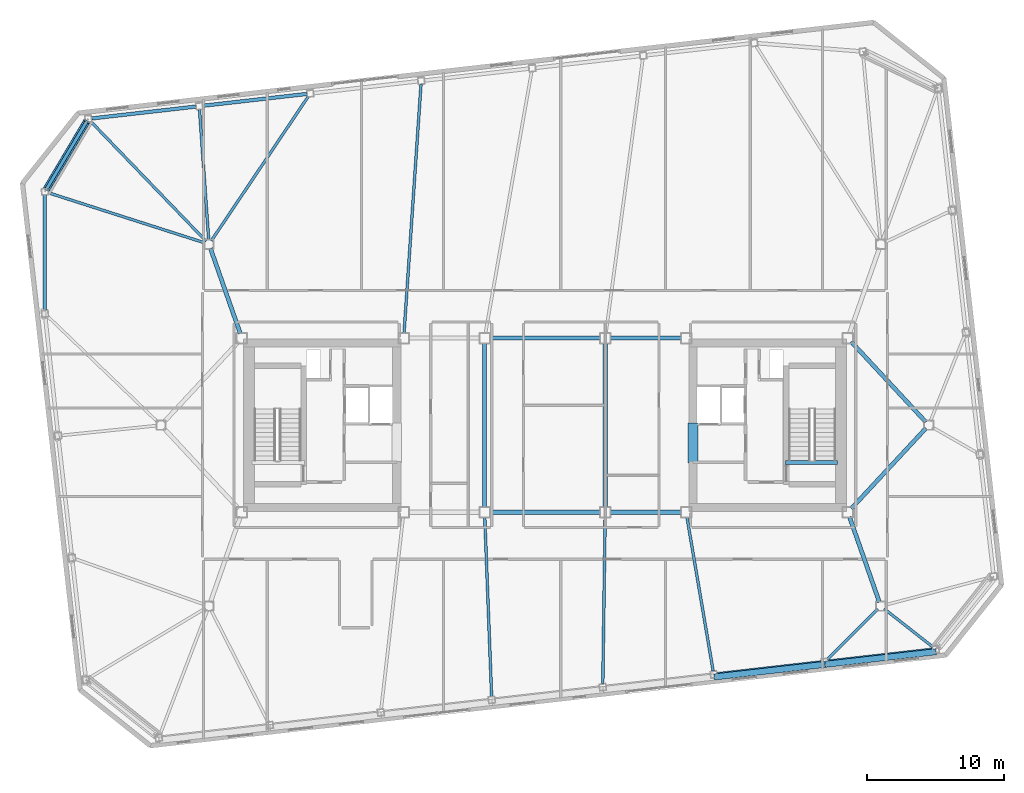
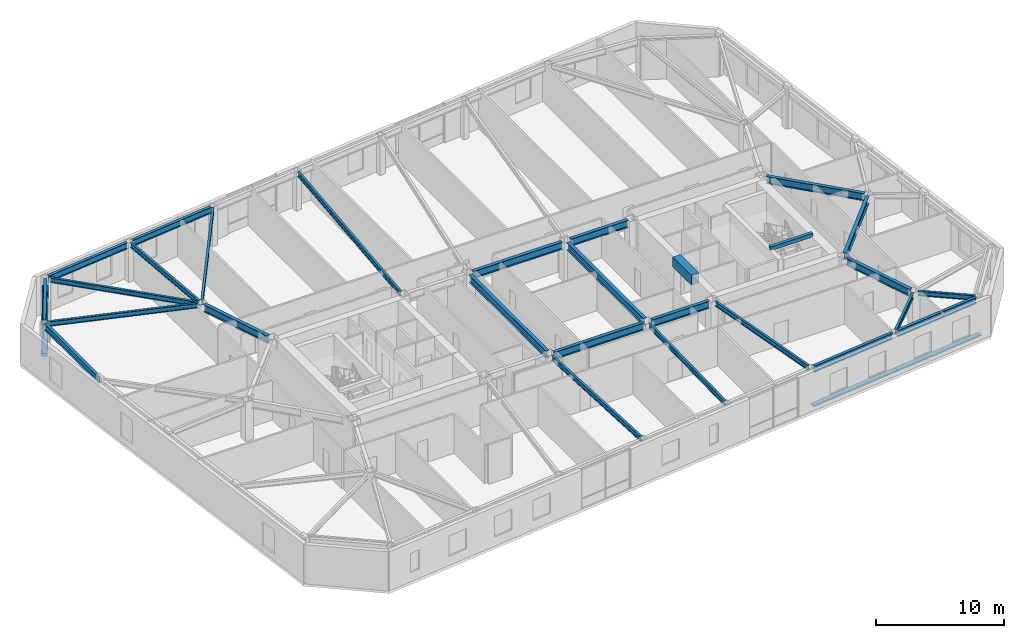
# One storey, part 7 of 19: 28 beams, 3 members.
"""IFC4 building model written with IfcOpenShell, lengths in metres."""

from ifc_helpers import new_model, si_unit, direction, frame, origin, origin_2d, place, context, subcontext, project, spatial, rectangle, hollow_circle, i_section, extrude, material, material_profile, profile_set, type_object, element, save


model = new_model("IFC4")

# Units and contexts
model_context = context("Model", 3, precision=1e-05, world=origin(), true_north=direction((0.0, 1.0)))
body_context = subcontext(model_context, "Body", "Model", "MODEL_VIEW")
ifc_project = project(units=[si_unit("LENGTHUNIT", "METRE"), si_unit("AREAUNIT", "SQUARE_METRE"), si_unit("VOLUMEUNIT", "CUBIC_METRE"), si_unit("PLANEANGLEUNIT", "RADIAN"), si_unit("MASSUNIT", "GRAM", prefix="KILO")], contexts=[model_context])

# Site, building, storey
site_placement = place(None, origin())
site = spatial("IfcSite", under=ifc_project, at=site_placement, CompositionType="ELEMENT")
building_placement = place(site_placement, origin())
building = spatial("IfcBuilding", under=site, at=building_placement, Name="Tavrogorsk Clinical Tower", CompositionType="ELEMENT")
storey_placement = place(building_placement, frame((0.0, 0.0, 255.0)))
storey = spatial("IfcBuildingStorey", under=building, at=storey_placement, Name="L59", CompositionType="ELEMENT", Elevation=255.0)

# Members
ifc_material_1 = material(Name="Anodised aluminium alloy AW-6063", Category="aluminium")
ifc_material_profile_1 = material_profile(ifc_material_1, rectangle(XDim=0.449951171875, YDim=0.1201171875, at=origin_2d()), Name="ALU-SUNSHADE-450x120")
ifc_profile_set_1 = profile_set([ifc_material_profile_1], Name="Anodised aluminium alloy AW-6063")
member_type_1 = type_object("IfcMemberType", Name="ChicagoSunshade_450x120", PredefinedType="USERDEFINED", material=ifc_profile_set_1)
for number, where, z_axis, x_axis, name in (
    (1, (12.336669921875, -18.369140625, 0.179931640625), (0.99356960656, 0.11322295227, 0.0), (-0.11322295227, 0.99356960656, 0.0), "L59 South Aluminium Sunshade S6"),
    (2, (20.432861328125, -17.446533203125, 0.179931640625), (0.9935729766, 0.113193375116, 0.0), (-0.113193375116, 0.9935729766, 0.0), "L59 South Aluminium Sunshade S7"),
):
    element("IfcMember", number, at=place(storey_placement, frame(where, z_axis=z_axis, x_axis=x_axis)), inside=storey, type_object=member_type_1, Name=name, ObjectType="SUNSHADE", PredefinedType="USERDEFINED", context=body_context, shape_type="SweptSolid", body=[
        extrude(rectangle(XDim=0.449951171875, YDim=0.1201171875, at=origin_2d()), origin(), (0.0, 0.0, 1.0), 8.148681640625),
    ])

# Beam
ifc_material_2 = material(Name="Concrete B80", Category="concrete")
ifc_material_profile_2 = material_profile(ifc_material_2, rectangle(XDim=0.699951171875, YDim=0.949951171875, at=origin_2d()), Name="RC-CB-700x950")
ifc_profile_set_2 = profile_set([ifc_material_profile_2], Name="Concrete B80")
beam_type_1 = type_object("IfcBeamType", Name="CouplingBeam_RC700x950", PredefinedType="LINTEL", material=ifc_profile_set_2)
beam_1_placement = place(storey_placement, frame((10.800048828125, -2.75, 3.264892578125), z_axis=(0.0, 1.0, 0.0), x_axis=(-1.0, 0.0, 0.0)))
element("IfcBeam", 3, at=beam_1_placement, inside=storey, type_object=beam_type_1, Name="L59 Core East Coupling Beam", PredefinedType="LINTEL", context=body_context, shape_type="SweptSolid", body=[
    extrude(rectangle(XDim=0.699951171875, YDim=0.949951171875, at=origin_2d()), origin(), (0.0, 0.0, 1.0), 2.89990234375),
])

# Member
ifc_material_3 = material(Name="Structural steel S440", Category="steel")
ifc_material_profile_3 = material_profile(ifc_material_3, hollow_circle(Radius=0.25390625, WallThickness=0.02001953125, at=origin_2d()), Name="CHS-508x20")
ifc_profile_set_3 = profile_set([ifc_material_profile_3], Name="Structural steel S440")
member_type_2 = type_object("IfcMemberType", Name="ExoBrace_CHS508", PredefinedType="BRACE", material=ifc_profile_set_3)
member_placement = place(storey_placement, frame((-36.349853515625, 17.23486328125, 0.40625), z_axis=(0.466115044739, 0.783286774864, 0.411337566228), x_axis=(-0.859354157364, 0.511380907173, 0.0)))
element("IfcMember", 4, at=member_placement, inside=storey, type_object=member_type_2, Name="L59 Corner Exoskeleton Brace N8-W1", PredefinedType="BRACE", context=body_context, shape_type="SweptSolid", body=[
    extrude(hollow_circle(Radius=0.25390625, WallThickness=0.02001953125, at=origin_2d()), origin(), (0.0, 0.0, 1.0), 6.266357421875),
])

# Beams
ifc_material_4 = material(Name="Structural steel S355", Category="steel")
ifc_material_profile_4 = material_profile(ifc_material_4, i_section(OverallWidth=0.199951171875, OverallDepth=0.449951171875, WebThickness=0.011474609375, FlangeThickness=0.01806640625, at=origin_2d()), Name="B-450x200x11.5x18")
ifc_profile_set_4 = profile_set([ifc_material_profile_4], Name="Structural steel S355")
beam_type_2 = type_object("IfcBeamType", Name="FloorBeam_B450", PredefinedType="BEAM", material=ifc_profile_set_4)
beam_2_placement = place(storey_placement, frame((-4.38623046875, -6.709716796875, 3.514892578125), z_axis=(0.038253158264, -0.999268080088, 0.0), x_axis=(0.999268080088, 0.038253158264, 0.0)))
element("IfcBeam", 5, at=beam_2_placement, inside=storey, type_object=beam_type_2, Name="L59 Radial Floor Beam S4", PredefinedType="BEAM", context=body_context, shape_type="SweptSolid", body=[
    extrude(i_section(OverallWidth=0.199951171875, OverallDepth=0.449951171875, WebThickness=0.011474609375, FlangeThickness=0.01806640625, at=origin_2d()), origin(), (0.0, 0.0, 1.0), 13.0771484375),
])
beam_3_placement = place(storey_placement, frame((4.39501953125, -6.7099609375, 3.514892578125), z_axis=(-0.014110566079, -0.999900441006, 0.0), x_axis=(0.999900441006, -0.014110566079, 0.0)))
element("IfcBeam", 6, at=beam_3_placement, inside=storey, type_object=beam_type_2, Name="L59 Radial Floor Beam S5", PredefinedType="BEAM", context=body_context, shape_type="SweptSolid", body=[
    extrude(i_section(OverallWidth=0.199951171875, OverallDepth=0.449951171875, WebThickness=0.011474609375, FlangeThickness=0.01806640625, at=origin_2d()), origin(), (0.0, 0.0, 1.0), 12.14599609375),
])
beam_4_placement = place(storey_placement, frame((10.3603515625, -6.704833984375, 3.514892578125), z_axis=(0.167876447446, -0.98580804338, 0.0), x_axis=(0.98580804338, 0.167876447446, 0.0)))
element("IfcBeam", 7, at=beam_4_placement, inside=storey, type_object=beam_type_2, Name="L59 Radial Floor Beam S6", PredefinedType="BEAM", context=body_context, shape_type="SweptSolid", body=[
    extrude(i_section(OverallWidth=0.199951171875, OverallDepth=0.449951171875, WebThickness=0.011474609375, FlangeThickness=0.01806640625, at=origin_2d()), origin(), (0.0, 0.0, 1.0), 11.392822265625),
])
beam_5_placement = place(storey_placement, frame((24.2802734375, -13.418701171875, 3.514892578125), z_axis=(-0.708842234901, -0.705367057652, 0.0), x_axis=(0.705367057652, -0.708842234901, 0.0)))
element("IfcBeam", 8, at=beam_5_placement, inside=storey, type_object=beam_type_2, Name="L59 Radial Floor Beam S7", PredefinedType="BEAM", context=body_context, shape_type="SweptSolid", body=[
    extrude(i_section(OverallWidth=0.199951171875, OverallDepth=0.449951171875, WebThickness=0.011474609375, FlangeThickness=0.01806640625, at=origin_2d()), origin(), (0.0, 0.0, 1.0), 5.19873046875),
])
beam_6_placement = place(storey_placement, frame((24.743896484375, -13.391357421875, 3.514892578125), z_axis=(0.786731711527, -0.617295078611, 0.0), x_axis=(0.617295078611, 0.786731711527, 0.0)))
element("IfcBeam", 9, at=beam_6_placement, inside=storey, type_object=beam_type_2, Name="L59 Radial Floor Beam S8", PredefinedType="BEAM", context=body_context, shape_type="SweptSolid", body=[
    extrude(i_section(OverallWidth=0.199951171875, OverallDepth=0.449951171875, WebThickness=0.011474609375, FlangeThickness=0.01806640625, at=origin_2d()), origin(), (0.0, 0.0, 1.0), 4.52734375),
])
beam_7_placement = place(storey_placement, frame((-10.275390625, 6.709228515625, 3.514892578125), z_axis=(0.068054861188, 0.9976815804, 0.0), x_axis=(-0.9976815804, 0.068054861188, 0.0)))
element("IfcBeam", 10, at=beam_7_placement, inside=storey, type_object=beam_type_2, Name="L59 Radial Floor Beam N5", PredefinedType="BEAM", context=body_context, shape_type="SweptSolid", body=[
    extrude(i_section(OverallWidth=0.199951171875, OverallDepth=0.449951171875, WebThickness=0.011474609375, FlangeThickness=0.01806640625, at=origin_2d()), origin(), (0.0, 0.0, 1.0), 18.188232421875),
])
beam_8_placement = place(storey_placement, frame((-24.3271484375, 13.457275390625, 3.514892578125), z_axis=(0.557666552953, 0.830065067159, 0.0), x_axis=(-0.830065067159, 0.557666552953, 0.0)))
element("IfcBeam", 11, at=beam_8_placement, inside=storey, type_object=beam_type_2, Name="L59 Radial Floor Beam N6", PredefinedType="BEAM", context=body_context, shape_type="SweptSolid", body=[
    extrude(i_section(OverallWidth=0.199951171875, OverallDepth=0.449951171875, WebThickness=0.011474609375, FlangeThickness=0.01806640625, at=origin_2d()), origin(), (0.0, 0.0, 1.0), 12.67236328125),
])
beam_9_placement = place(storey_placement, frame((-24.52197265625, 13.50927734375, 3.514892578125), z_axis=(-0.070563956086, 0.997507257167, 0.0), x_axis=(-0.997507257167, -0.070563956086, 0.0)))
element("IfcBeam", 12, at=beam_9_placement, inside=storey, type_object=beam_type_2, Name="L59 Radial Floor Beam N7", PredefinedType="BEAM", context=body_context, shape_type="SweptSolid", body=[
    extrude(i_section(OverallWidth=0.199951171875, OverallDepth=0.449951171875, WebThickness=0.011474609375, FlangeThickness=0.01806640625, at=origin_2d()), origin(), (0.0, 0.0, 1.0), 9.52490234375),
])
beam_10_placement = place(storey_placement, frame((-24.715087890625, 13.42333984375, 3.514892578125), z_axis=(-0.69371826835, 0.720246460704, 0.0), x_axis=(-0.720246460704, -0.69371826835, 0.0)))
element("IfcBeam", 13, at=beam_10_placement, inside=storey, type_object=beam_type_2, Name="L59 Radial Floor Beam N8", PredefinedType="BEAM", context=body_context, shape_type="SweptSolid", body=[
    extrude(i_section(OverallWidth=0.199951171875, OverallDepth=0.449951171875, WebThickness=0.011474609375, FlangeThickness=0.01806640625, at=origin_2d()), origin(), (0.0, 0.0, 1.0), 12.129638671875),
])
beam_11_placement = place(storey_placement, frame((-24.795166015625, 13.29443359375, 3.514892578125), z_axis=(-0.952367912824, 0.304951403709, 0.0), x_axis=(-0.304951403709, -0.952367912824, 0.0)))
element("IfcBeam", 14, at=beam_11_placement, inside=storey, type_object=beam_type_2, Name="L59 Radial Floor Beam W1", PredefinedType="BEAM", context=body_context, shape_type="SweptSolid", body=[
    extrude(i_section(OverallWidth=0.199951171875, OverallDepth=0.449951171875, WebThickness=0.011474609375, FlangeThickness=0.01806640625, at=origin_2d()), origin(), (0.0, 0.0, 1.0), 12.000732421875),
])
ifc_material_5 = material(Name="Structural steel S390", Category="steel")
ifc_material_profile_5 = material_profile(ifc_material_5, i_section(OverallWidth=0.300048828125, OverallDepth=0.699951171875, WebThickness=0.01708984375, FlangeThickness=0.028076171875, at=origin_2d()), Name="B-700x300x17x28")
ifc_profile_set_5 = profile_set([ifc_material_profile_5], Name="Structural steel S390")
beam_type_3 = type_object("IfcBeamType", Name="PrimaryGirder_B700", PredefinedType="USERDEFINED", material=ifc_profile_set_5)
for number, where, z_axis, x_axis, name in (
    (15, (-4.0400390625, -6.35009765625, 3.389892578125), (1.0, 0.0, 0.0), (0.0, 1.0, 0.0), "L59 Primary Spine Girder MG-03"),
    (16, (-4.0400390625, 6.35009765625, 3.389892578125), (1.0, 0.0, 0.0), (0.0, 1.0, 0.0), "L59 Primary Spine Girder MG-04"),
):
    element("IfcBeam", number, at=place(storey_placement, frame(where, z_axis=z_axis, x_axis=x_axis)), inside=storey, type_object=beam_type_3, Name=name, ObjectType="GIRDER", PredefinedType="USERDEFINED", context=body_context, shape_type="SweptSolid", body=[
        extrude(i_section(OverallWidth=0.300048828125, OverallDepth=0.699951171875, WebThickness=0.01708984375, FlangeThickness=0.028076171875, at=origin_2d()), origin(), (0.0, 0.0, 1.0), 8.080078125),
    ])
for number, where, z_axis, x_axis, name in (
    (17, (4.760009765625, -6.35009765625, 3.389892578125), (1.0, 0.0, 0.0), (0.0, 1.0, 0.0), "L59 Primary Spine Girder MG-05"),
    (18, (4.760009765625, 6.35009765625, 3.389892578125), (1.0, 0.0, 0.0), (0.0, 1.0, 0.0), "L59 Primary Spine Girder MG-06"),
):
    element("IfcBeam", number, at=place(storey_placement, frame(where, z_axis=z_axis, x_axis=x_axis)), inside=storey, type_object=beam_type_3, Name=name, ObjectType="GIRDER", PredefinedType="USERDEFINED", context=body_context, shape_type="SweptSolid", body=[
        extrude(i_section(OverallWidth=0.300048828125, OverallDepth=0.699951171875, WebThickness=0.01708984375, FlangeThickness=0.028076171875, at=origin_2d()), origin(), (0.0, 0.0, 1.0), 5.179931640625),
    ])
for number, where, z_axis, x_axis, name in (
    (19, (-4.39990234375, -5.989990234375, 3.389892578125), (0.0, 1.0, 0.0), (-1.0, 0.0, 0.0), "L59 Primary Spine Girder MG-07"),
    (20, (4.39990234375, -5.989990234375, 3.389892578125), (0.0, 1.0, 0.0), (-1.0, 0.0, 0.0), "L59 Primary Spine Girder MG-08"),
):
    element("IfcBeam", number, at=place(storey_placement, frame(where, z_axis=z_axis, x_axis=x_axis)), inside=storey, type_object=beam_type_3, Name=name, ObjectType="GIRDER", PredefinedType="USERDEFINED", context=body_context, shape_type="SweptSolid", body=[
        extrude(i_section(OverallWidth=0.300048828125, OverallDepth=0.699951171875, WebThickness=0.01708984375, FlangeThickness=0.028076171875, at=origin_2d()), origin(), (0.0, 0.0, 1.0), 11.97998046875),
    ])
for number, where, z_axis, x_axis, name in (
    (21, (24.3974609375, -12.907470703125, 3.389892578125), (-0.330654121425, 0.943752007672, 0.0), (-0.943752007672, -0.330654121425, 0.0), "L59 Spine Link Girder OPG-2"),
    (22, (-24.3974609375, 12.907470703125, 3.389892578125), (0.330654121425, -0.943752007672, 0.0), (0.943752007672, 0.330654121425, 0.0), "L59 Spine Link Girder OPG-3"),
):
    element("IfcBeam", number, at=place(storey_placement, frame(where, z_axis=z_axis, x_axis=x_axis)), inside=storey, type_object=beam_type_3, Name=name, ObjectType="GIRDER", PredefinedType="USERDEFINED", context=body_context, shape_type="SweptSolid", body=[
        extrude(i_section(OverallWidth=0.300048828125, OverallDepth=0.699951171875, WebThickness=0.01708984375, FlangeThickness=0.028076171875, at=origin_2d()), origin(), (0.0, 0.0, 1.0), 6.58837890625),
    ])
for number, where, z_axis, x_axis, name in (
    (23, (27.7890625, -0.22705078125, 3.389892578125), (-0.680684060959, -0.732577101168, 0.0), (0.732577101168, -0.680684060959, 0.0), "L59 Spine Link Girder OPG-7"),
    (24, (27.7890625, 0.22705078125, 3.389892578125), (-0.680684060959, 0.732577101168, 0.0), (-0.732577101168, -0.680684060959, 0.0), "L59 Spine Link Girder OPG-8"),
):
    element("IfcBeam", number, at=place(storey_placement, frame(where, z_axis=z_axis, x_axis=x_axis)), inside=storey, type_object=beam_type_3, Name=name, ObjectType="GIRDER", PredefinedType="USERDEFINED", context=body_context, shape_type="SweptSolid", body=[
        extrude(i_section(OverallWidth=0.300048828125, OverallDepth=0.699951171875, WebThickness=0.01708984375, FlangeThickness=0.028076171875, at=origin_2d()), origin(), (0.0, 0.0, 1.0), 7.998046875),
    ])
ifc_material_6 = material(Name="Structural steel S390", Category="steel")
ifc_material_profile_6 = material_profile(ifc_material_6, i_section(OverallWidth=0.260009765625, OverallDepth=0.60009765625, WebThickness=0.014892578125, FlangeThickness=0.02392578125, at=origin_2d()), Name="B-600x260x15x24")
ifc_profile_set_6 = profile_set([ifc_material_profile_6], Name="Structural steel S390")
beam_type_4 = type_object("IfcBeamType", Name="SpandrelBeam_B600", PredefinedType="SPANDREL", material=ifc_profile_set_6)
beam_12_placement = place(storey_placement, frame((12.57275390625, -18.1611328125, 3.43994140625), z_axis=(0.993571689921, 0.113204668576, 0.0), x_axis=(-0.113204668576, 0.993571689921, 0.0)))
element("IfcBeam", 25, at=beam_12_placement, inside=storey, type_object=beam_type_4, Name="L59 Perimeter Spandrel S6-S7", PredefinedType="SPANDREL", context=body_context, shape_type="SweptSolid", body=[
    extrude(i_section(OverallWidth=0.260009765625, OverallDepth=0.60009765625, WebThickness=0.014892578125, FlangeThickness=0.02392578125, at=origin_2d()), origin(), (0.0, 0.0, 1.0), 7.63232421875),
])
for number, where, z_axis, x_axis, name in (
    (26, (20.668701171875, -17.238525390625, 3.43994140625), (0.993572099834, 0.113201070804, 0.0), (-0.113201070804, 0.993572099834, 0.0), "L59 Perimeter Spandrel S7-S8"),
    (27, (-17.37255859375, 24.1611328125, 3.43994140625), (-0.993572099834, -0.113201070804, 0.0), (0.113201070804, -0.993572099834, 0.0), "L59 Perimeter Spandrel N6-N7"),
    (28, (-25.46875, 23.238525390625, 3.43994140625), (-0.993572099834, -0.113201070804, 0.0), (0.113201070804, -0.993572099834, 0.0), "L59 Perimeter Spandrel N7-N8"),
):
    element("IfcBeam", number, at=place(storey_placement, frame(where, z_axis=z_axis, x_axis=x_axis)), inside=storey, type_object=beam_type_4, Name=name, PredefinedType="SPANDREL", context=body_context, shape_type="SweptSolid", body=[
        extrude(i_section(OverallWidth=0.260009765625, OverallDepth=0.60009765625, WebThickness=0.014892578125, FlangeThickness=0.02392578125, at=origin_2d()), origin(), (0.0, 0.0, 1.0), 7.632568359375),
    ])
beam_13_placement = place(storey_placement, frame((-33.4404296875, 22.123779296875, 3.43994140625), z_axis=(-0.51140659222, -0.859338872293, 0.0), x_axis=(0.859338872293, -0.51140659222, 0.0)))
element("IfcBeam", 29, at=beam_13_placement, inside=storey, type_object=beam_type_4, Name="L59 Perimeter Spandrel N8-W1", PredefinedType="SPANDREL", context=body_context, shape_type="SweptSolid", body=[
    extrude(i_section(OverallWidth=0.260009765625, OverallDepth=0.60009765625, WebThickness=0.014892578125, FlangeThickness=0.02392578125, at=origin_2d()), origin(), (0.0, 0.0, 1.0), 5.666259765625),
])
beam_14_placement = place(storey_placement, frame((-36.469970703125, 16.77490234375, 3.43994140625), z_axis=(0.0, -1.0, 0.0), x_axis=(1.0, 0.0, 0.0)))
element("IfcBeam", 30, at=beam_14_placement, inside=storey, type_object=beam_type_4, Name="L59 Perimeter Spandrel W1-W2", PredefinedType="SPANDREL", context=body_context, shape_type="SweptSolid", body=[
    extrude(i_section(OverallWidth=0.260009765625, OverallDepth=0.60009765625, WebThickness=0.014892578125, FlangeThickness=0.02392578125, at=origin_2d()), origin(), (0.0, 0.0, 1.0), 8.386474609375),
])
ifc_material_7 = material(Name="Concrete B60", Category="concrete")
ifc_material_profile_7 = material_profile(ifc_material_7, rectangle(XDim=0.300048828125, YDim=0.35009765625, at=origin_2d()), Name="RC-SHB-300x350")
ifc_profile_set_7 = profile_set([ifc_material_profile_7], Name="Concrete B60")
beam_type_5 = type_object("IfcBeamType", Name="StairHeaderBeam_RC300x350", PredefinedType="BEAM", material=ifc_profile_set_7)
beam_15_placement = place(storey_placement, frame((17.550048828125, -2.719970703125, 3.824951171875), z_axis=(1.0, 0.0, 0.0), x_axis=(0.0, 1.0, 0.0)))
element("IfcBeam", 31, at=beam_15_placement, inside=storey, type_object=beam_type_5, Name="L60 ST-E Landing Header Beam", PredefinedType="BEAM", context=body_context, shape_type="SweptSolid", body=[
    extrude(rectangle(XDim=0.300048828125, YDim=0.35009765625, at=origin_2d()), origin(), (0.0, 0.0, 1.0), 3.800048828125),
])

save(model, "model.ifc")
